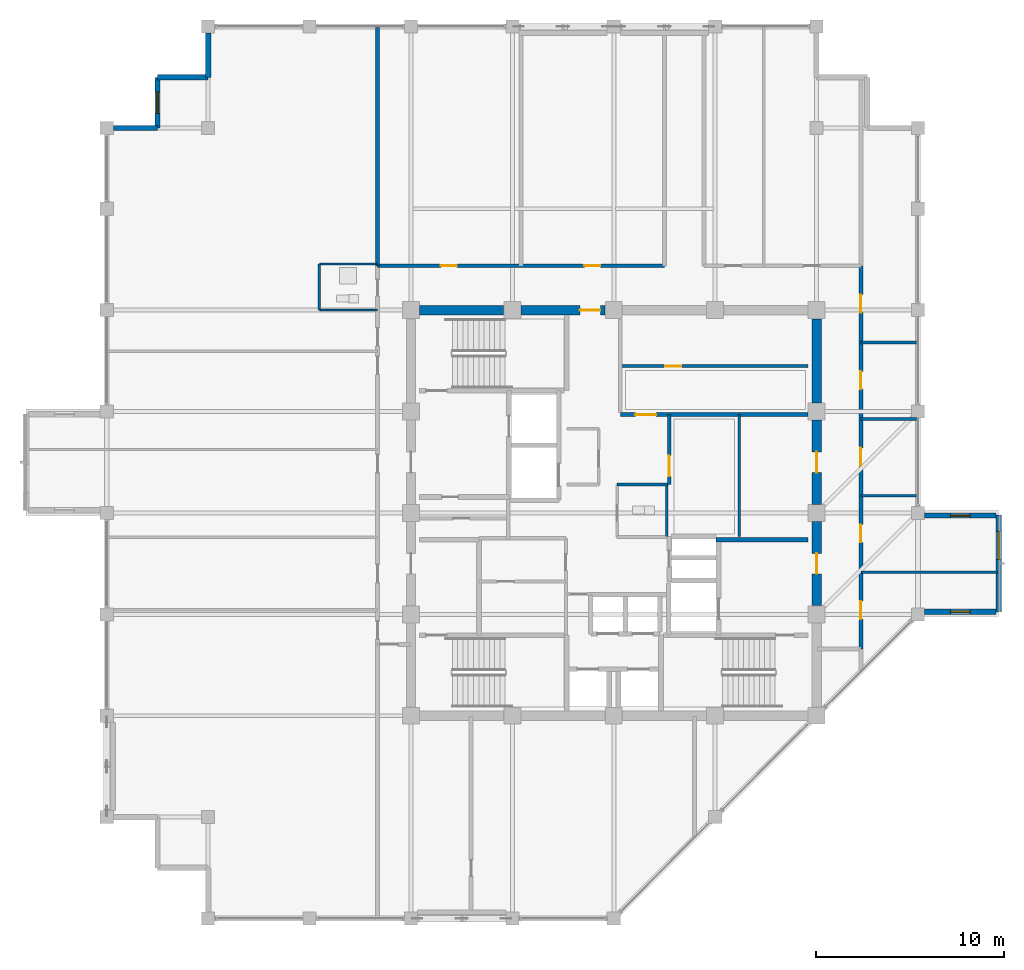
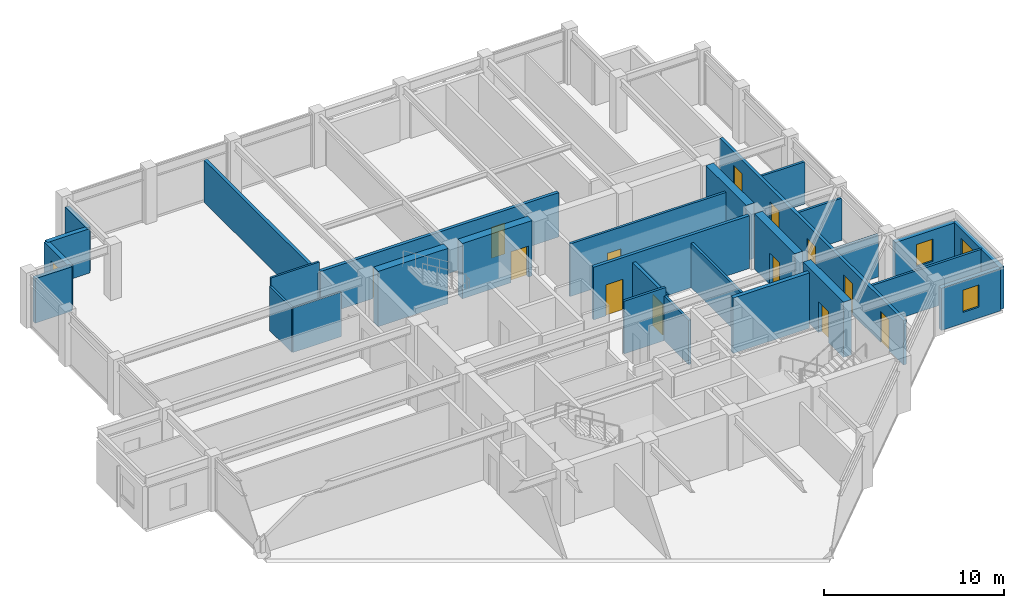
# One storey, part 27 of 31: 29 walls, 13 doors, 4 windows, 17 openings.
"""IFC4 building model written with IfcOpenShell, lengths in metres."""

from ifc_helpers import new_model, si_unit, direction, frame, frame_2d, origin, place, context, subcontext, project, spatial, rectangle, extrude, material, layer, layer_set, type_object, element, fill, save


model = new_model("IFC4")

# Units and contexts
model_context = context("Model", 3, precision=1e-05, world=origin(), true_north=direction((0.0, 1.0)))
body_context = subcontext(model_context, "Body", "Model", "MODEL_VIEW")
ifc_project = project(units=[si_unit("LENGTHUNIT", "METRE"), si_unit("AREAUNIT", "SQUARE_METRE"), si_unit("VOLUMEUNIT", "CUBIC_METRE"), si_unit("PLANEANGLEUNIT", "RADIAN"), si_unit("MASSUNIT", "GRAM", prefix="KILO")], contexts=[model_context])

# Site, building, storey
site_placement = place(None, origin())
site = spatial("IfcSite", under=ifc_project, at=site_placement, CompositionType="ELEMENT")
building_placement = place(site_placement, origin())
building = spatial("IfcBuilding", under=site, at=building_placement, Name="Surkhivell Harbour Commons", CompositionType="ELEMENT")
storey_placement = place(building_placement, frame((0.0, 0.0, 322.5)))
storey = spatial("IfcBuildingStorey", under=building, at=storey_placement, Name="L84", CompositionType="ELEMENT", Elevation=322.5)

# Wall
ifc_material_1 = material(Name="Concrete C50/60", Category="concrete")
ifc_layer_1 = layer(ifc_material_1, 0.5)
ifc_layer_set_1 = layer_set([ifc_layer_1], Name="Concrete C50/60")
wall_type_1 = type_object("IfcWallType", Name="WAL-CORE-500", PredefinedType="SHEAR", material=ifc_layer_set_1)
wall_1_placement = place(storey_placement, frame((-10.340087890625, 10.800048828125, 0.0), z_axis=(0.0, 0.0, 1.0), x_axis=(1.0, 0.0, 0.0)))
element("IfcWall", 1, at=wall_1_placement, inside=storey, type_object=wall_type_1, Name="L84 Core Shear Wall North 1", PredefinedType="SHEAR", context=body_context, shape_type="SweptSolid", body=[
    extrude(rectangle(XDim=4.47998046875, YDim=0.5, at=frame_2d((2.239990234375, 0.0))), origin(), (0.0, 0.0, 1.0), 3.75),
])

# Wall, opening, door
wall_2_placement = place(storey_placement, frame((-4.93994140625, 10.800048828125, 0.0), z_axis=(0.0, 0.0, 1.0), x_axis=(1.0, 0.0, 0.0)))
wall_2 = element("IfcWall", 2, at=wall_2_placement, inside=storey, type_object=wall_type_1, Name="L84 Core Shear Wall North 2", PredefinedType="SHEAR", context=body_context, shape_type="SweptSolid", body=[
    extrude(rectangle(XDim=4.47998046875, YDim=0.5, at=frame_2d((2.239990234375, 0.0))), origin(), (0.0, 0.0, 1.0), 3.75),
])
opening_1_placement = place(wall_2_placement, frame((3.1298828125, 0.0, 0.0)))
opening_1 = element("IfcOpeningElement", 3, at=opening_1_placement, cuts=wall_2, Name="Opening ID-2", PredefinedType="OPENING", context=body_context, shape_type="SweptSolid", body=[
    extrude(rectangle(XDim=1.10009765625, YDim=2.10009765625, at=frame_2d((0.550048828125, 1.050048828125))), frame((0.0, 0.260009765625, 0.0), z_axis=(0.0, -1.0, 0.0), x_axis=(1.0, 0.0, 0.0)), (0.0, 0.0, 1.0), 0.52001953125),
])
ifc_material_2 = material(Name="Hardwood-veneered fire-rated door leaf", Category="wood")
door_type_1 = type_object("IfcDoorType", Name="DOR-FD60-1100", OperationType="NOTDEFINED", PredefinedType="DOOR", material=ifc_material_2)
door_1_placement = place(opening_1_placement, origin())
door_1 = element("IfcDoor", 4, at=door_1_placement, inside=storey, type_object=door_type_1, Name="L84 Central Core Lift Hall North Corridor Door", OperationType="SINGLE_SWING_LEFT", OverallHeight=2.10009765625, OverallWidth=1.10009765625, PredefinedType="DOOR", context=body_context, shape_type="SweptSolid", body=[
    extrude(rectangle(XDim=1.10009765625, YDim=2.10009765625, at=frame_2d((0.550048828125, 1.050048828125))), frame((0.0, 0.02490234375, 0.0), z_axis=(0.0, -1.0, 0.0), x_axis=(1.0, 0.0, 0.0)), (0.0, 0.0, 1.0), 0.050048828125),
])
fill(opening_1, door_1)

wall_3_placement = place(storey_placement, frame((10.800048828125, -4.93994140625, 0.0), z_axis=(0.0, 0.0, 1.0), x_axis=(0.0, 1.0, 0.0)))
wall_3 = element("IfcWall", 5, at=wall_3_placement, inside=storey, type_object=wall_type_1, Name="L84 Core Shear Wall East 2", PredefinedType="SHEAR", context=body_context, shape_type="SweptSolid", body=[
    extrude(rectangle(XDim=4.47998046875, YDim=0.5, at=frame_2d((2.239990234375, 0.0))), origin(), (0.0, 0.0, 1.0), 3.75),
])
opening_2_placement = place(wall_3_placement, frame((1.68994140625, 0.0, 0.0)))
opening_2 = element("IfcOpeningElement", 6, at=opening_2_placement, cuts=wall_3, Name="Opening ID-1", PredefinedType="OPENING", context=body_context, shape_type="SweptSolid", body=[
    extrude(rectangle(XDim=1.10009765625, YDim=2.10009765625, at=frame_2d((0.550048828125, 1.050048828125))), frame((0.0, 0.260009765625, 0.0), z_axis=(0.0, -1.0, 0.0), x_axis=(1.0, 0.0, 0.0)), (0.0, 0.0, 1.0), 0.52001953125),
])
door_type_2 = type_object("IfcDoorType", Name="DOR-FD120-1100", OperationType="NOTDEFINED", PredefinedType="DOOR", material=ifc_material_2)
door_2_placement = place(opening_2_placement, origin())
door_2 = element("IfcDoor", 7, at=door_2_placement, inside=storey, type_object=door_type_2, Name="L84 Firefighting Lobby 2 Corridor Door", OperationType="SINGLE_SWING_RIGHT", OverallHeight=2.10009765625, OverallWidth=1.10009765625, PredefinedType="DOOR", context=body_context, shape_type="SweptSolid", body=[
    extrude(rectangle(XDim=1.10009765625, YDim=2.10009765625, at=frame_2d((0.550048828125, 1.050048828125))), frame((0.0, 0.02490234375, 0.0), z_axis=(0.0, -1.0, 0.0), x_axis=(1.0, 0.0, 0.0)), (0.0, 0.0, 1.0), 0.050048828125),
])
fill(opening_2, door_2)

wall_4_placement = place(storey_placement, frame((10.800048828125, 0.4599609375, 0.0), z_axis=(0.0, 0.0, 1.0), x_axis=(0.0, 1.0, 0.0)))
wall_4 = element("IfcWall", 8, at=wall_4_placement, inside=storey, type_object=wall_type_1, Name="L84 Core Shear Wall East 3", PredefinedType="SHEAR", context=body_context, shape_type="SweptSolid", body=[
    extrude(rectangle(XDim=4.47998046875, YDim=0.5, at=frame_2d((2.239990234375, 0.0))), origin(), (0.0, 0.0, 1.0), 3.75),
])
opening_3_placement = place(wall_4_placement, frame((1.68994140625, 0.0, 0.0)))
opening_3 = element("IfcOpeningElement", 9, at=opening_3_placement, cuts=wall_4, Name="Opening ID-2", PredefinedType="OPENING", context=body_context, shape_type="SweptSolid", body=[
    extrude(rectangle(XDim=1.10009765625, YDim=2.10009765625, at=frame_2d((0.550048828125, 1.050048828125))), frame((0.0, 0.260009765625, 0.0), z_axis=(0.0, -1.0, 0.0), x_axis=(1.0, 0.0, 0.0)), (0.0, 0.0, 1.0), 0.52001953125),
])
door_3_placement = place(opening_3_placement, origin())
door_3 = element("IfcDoor", 10, at=door_3_placement, inside=storey, type_object=door_type_1, Name="L84 Core Seminar East Door", OperationType="SINGLE_SWING_RIGHT", OverallHeight=2.10009765625, OverallWidth=1.10009765625, PredefinedType="DOOR", context=body_context, shape_type="SweptSolid", body=[
    extrude(rectangle(XDim=1.10009765625, YDim=2.10009765625, at=frame_2d((0.550048828125, 1.050048828125))), frame((0.0, 0.02490234375, 0.0), z_axis=(0.0, -1.0, 0.0), x_axis=(1.0, 0.0, 0.0)), (0.0, 0.0, 1.0), 0.050048828125),
])
fill(opening_3, door_3)

# Wall
wall_5_placement = place(storey_placement, frame((10.800048828125, 5.860107421875, 0.0), z_axis=(0.0, 0.0, 1.0), x_axis=(0.0, 1.0, 0.0)))
element("IfcWall", 11, at=wall_5_placement, inside=storey, type_object=wall_type_1, Name="L84 Core Shear Wall East 4", PredefinedType="SHEAR", context=body_context, shape_type="SweptSolid", body=[
    extrude(rectangle(XDim=4.47998046875, YDim=0.5, at=frame_2d((2.239990234375, 0.0))), origin(), (0.0, 0.0, 1.0), 3.75),
])

# Wall, opening, window
ifc_material_3 = material(Name="Terracotta-clad reinforced concrete C45/55", Category="masonry")
ifc_layer_2 = layer(ifc_material_3, 0.280029296875)
ifc_layer_set_2 = layer_set([ifc_layer_2], Name="Terracotta-clad reinforced concrete C45/55")
wall_type_2 = type_object("IfcWallType", Name="WAL-EXT-TER280", PredefinedType="STANDARD", material=ifc_layer_set_2)
wall_6_placement = place(storey_placement, frame((20.5, -5.280029296875, 0.0), z_axis=(0.0, 0.0, 1.0), x_axis=(0.0, 1.0, 0.0)))
wall_6 = element("IfcWall", 12, at=wall_6_placement, inside=storey, type_object=wall_type_2, Name="L84 Coloured Box Front Wall 01", PredefinedType="STANDARD", context=body_context, shape_type="SweptSolid", body=[
    extrude(rectangle(XDim=5.159912109375, YDim=0.280029296875, at=frame_2d((2.580078125, 0.0))), origin(), (0.0, 0.0, 1.0), 2.85693359375),
])
opening_4_placement = place(wall_6_placement, frame((2.800048828125, 0.0, 0.75)))
opening_4 = element("IfcOpeningElement", 13, at=opening_4_placement, cuts=wall_6, Name="Opening WN-13", PredefinedType="OPENING", context=body_context, shape_type="SweptSolid", body=[
    extrude(rectangle(XDim=1.5, YDim=1.5, at=frame_2d((0.75, 0.75))), frame((0.0, 0.14990234375, 0.0), z_axis=(0.0, -1.0, 0.0), x_axis=(1.0, 0.0, 0.0)), (0.0, 0.0, 1.0), 0.300048828125),
])
ifc_material_4 = material(Name="Thermal-break aluminium frame and double low-E glazing", Category="aluminium")
window_type_1 = type_object("IfcWindowType", Name="WIN-BOX-1500x1500", PartitioningType="SINGLE_PANEL", PredefinedType="WINDOW", material=ifc_material_4)
window_1_placement = place(opening_4_placement, origin())
window_1 = element("IfcWindow", 14, at=window_1_placement, inside=storey, type_object=window_type_1, Name="L84 Coloured Box Square Window 01-1", OverallHeight=1.5, OverallWidth=1.5, PartitioningType="SINGLE_PANEL", PredefinedType="WINDOW", context=body_context, shape_type="SweptSolid", body=[
    extrude(rectangle(XDim=1.5, YDim=1.5, at=frame_2d((0.75, 0.75))), frame((0.0, 0.030029296875, 0.0), z_axis=(0.0, -1.0, 0.0), x_axis=(1.0, 0.0, 0.0)), (0.0, 0.0, 1.0), 0.06005859375),
])
fill(opening_4, window_1)

wall_7_placement = place(storey_placement, frame((16.553955078125, -5.260009765625, 0.0), z_axis=(0.0, 0.0, 1.0), x_axis=(1.0, 0.0, 0.0)))
wall_7 = element("IfcWall", 15, at=wall_7_placement, inside=storey, type_object=wall_type_2, Name="L84 Coloured Box Return Wall 01S", PredefinedType="STANDARD", context=body_context, shape_type="SweptSolid", body=[
    extrude(rectangle(XDim=3.80615234375, YDim=0.280029296875, at=frame_2d((1.903076171875, 0.0))), origin(), (0.0, 0.0, 1.0), 2.85693359375),
])
opening_5_placement = place(wall_7_placement, frame((1.3779296875, 0.0, 0.75)))
opening_5 = element("IfcOpeningElement", 16, at=opening_5_placement, cuts=wall_7, Name="Opening WN-11", PredefinedType="OPENING", context=body_context, shape_type="SweptSolid", body=[
    extrude(rectangle(XDim=1.050048828125, YDim=1.5, at=frame_2d((0.52490234375, 0.75))), frame((0.0, 0.14990234375, 0.0), z_axis=(0.0, -1.0, 0.0), x_axis=(1.0, 0.0, 0.0)), (0.0, 0.0, 1.0), 0.300048828125),
])
window_type_2 = type_object("IfcWindowType", Name="WIN-SER-1050x1500", PartitioningType="SINGLE_PANEL", PredefinedType="WINDOW", material=ifc_material_4)
window_2_placement = place(opening_5_placement, origin())
window_2 = element("IfcWindow", 17, at=window_2_placement, inside=storey, type_object=window_type_2, Name="L84 Coloured Box Return Window 01S", OverallHeight=1.5, OverallWidth=1.050048828125, PartitioningType="SINGLE_PANEL", PredefinedType="WINDOW", context=body_context, shape_type="SweptSolid", body=[
    extrude(rectangle(XDim=1.050048828125, YDim=1.5, at=frame_2d((0.52490234375, 0.75))), frame((0.0, 0.030029296875, 0.0), z_axis=(0.0, -1.0, 0.0), x_axis=(1.0, 0.0, 0.0)), (0.0, 0.0, 1.0), 0.06005859375),
])
fill(opening_5, window_2)

wall_8_placement = place(storey_placement, frame((16.553955078125, -0.139892578125, 0.0), z_axis=(0.0, 0.0, 1.0), x_axis=(1.0, 0.0, 0.0)))
wall_8 = element("IfcWall", 18, at=wall_8_placement, inside=storey, type_object=wall_type_2, Name="L84 Coloured Box Return Wall 01N", PredefinedType="STANDARD", context=body_context, shape_type="SweptSolid", body=[
    extrude(rectangle(XDim=3.80615234375, YDim=0.280029296875, at=frame_2d((1.903076171875, 0.0))), origin(), (0.0, 0.0, 1.0), 2.85693359375),
])
opening_6_placement = place(wall_8_placement, frame((1.3779296875, 0.0, 0.75)))
opening_6 = element("IfcOpeningElement", 19, at=opening_6_placement, cuts=wall_8, Name="Opening WN-11", PredefinedType="OPENING", context=body_context, shape_type="SweptSolid", body=[
    extrude(rectangle(XDim=1.050048828125, YDim=1.5, at=frame_2d((0.52490234375, 0.75))), frame((0.0, 0.14990234375, 0.0), z_axis=(0.0, -1.0, 0.0), x_axis=(1.0, 0.0, 0.0)), (0.0, 0.0, 1.0), 0.300048828125),
])
window_3_placement = place(opening_6_placement, origin())
window_3 = element("IfcWindow", 20, at=window_3_placement, inside=storey, type_object=window_type_2, Name="L84 Coloured Box Return Window 01N", OverallHeight=1.5, OverallWidth=1.050048828125, PartitioningType="SINGLE_PANEL", PredefinedType="WINDOW", context=body_context, shape_type="SweptSolid", body=[
    extrude(rectangle(XDim=1.050048828125, YDim=1.5, at=frame_2d((0.52490234375, 0.75))), frame((0.0, 0.030029296875, 0.0), z_axis=(0.0, -1.0, 0.0), x_axis=(1.0, 0.0, 0.0)), (0.0, 0.0, 1.0), 0.06005859375),
])
fill(opening_6, window_3)

# Walls
wall_9_placement = place(storey_placement, frame((-21.60009765625, 25.552001953125, 0.0), z_axis=(0.0, 0.0, 1.0), x_axis=(0.0, -1.0, 0.0)))
element("IfcWall", 21, at=wall_9_placement, inside=storey, type_object=wall_type_2, Name="L84 Serrated Corner Facade Wall 08", PredefinedType="STANDARD", context=body_context, shape_type="SweptSolid", body=[
    extrude(rectangle(XDim=2.35205078125, YDim=0.280029296875, at=frame_2d((1.176025390625, 0.0))), origin(), (0.0, 0.0, 1.0), 3.012939453125),
])
wall_10_placement = place(storey_placement, frame((-21.60009765625, 23.199951171875, 0.0), z_axis=(0.0, 0.0, 1.0), x_axis=(-1.0, 0.0, 0.0)))
element("IfcWall", 22, at=wall_10_placement, inside=storey, type_object=wall_type_2, Name="L84 Serrated Corner Facade Wall 09", PredefinedType="STANDARD", context=body_context, shape_type="SweptSolid", body=[
    extrude(rectangle(XDim=2.699951171875, YDim=0.280029296875, at=frame_2d((1.35009765625, 0.0))), origin(), (0.0, 0.0, 1.0), 3.012939453125),
])

# Wall, opening, window
wall_11_placement = place(storey_placement, frame((-24.300048828125, 23.199951171875, 0.0), z_axis=(0.0, 0.0, 1.0), x_axis=(0.0, -1.0, 0.0)))
wall_11 = element("IfcWall", 23, at=wall_11_placement, inside=storey, type_object=wall_type_2, Name="L84 Serrated Corner Facade Wall 10", PredefinedType="STANDARD", context=body_context, shape_type="SweptSolid", body=[
    extrude(rectangle(XDim=2.699951171875, YDim=0.280029296875, at=frame_2d((1.35009765625, 0.0))), origin(), (0.0, 0.0, 1.0), 3.012939453125),
])
opening_7_placement = place(wall_11_placement, frame((0.77490234375, 0.0, 0.64990234375)))
opening_7 = element("IfcOpeningElement", 24, at=opening_7_placement, cuts=wall_11, Name="Opening WN-10", PredefinedType="OPENING", context=body_context, shape_type="SweptSolid", body=[
    extrude(rectangle(XDim=1.14990234375, YDim=1.550048828125, at=frame_2d((0.574951171875, 0.77490234375))), frame((0.0, 0.14990234375, 0.0), z_axis=(0.0, -1.0, 0.0), x_axis=(1.0, 0.0, 0.0)), (0.0, 0.0, 1.0), 0.300048828125),
])
window_type_3 = type_object("IfcWindowType", Name="WIN-SER-1150x1550", PartitioningType="SINGLE_PANEL", PredefinedType="WINDOW", material=ifc_material_4)
window_4_placement = place(opening_7_placement, origin())
window_4 = element("IfcWindow", 25, at=window_4_placement, inside=storey, type_object=window_type_3, Name="L84 Serrated Alcove Window 10", OverallHeight=1.550048828125, OverallWidth=1.14990234375, PartitioningType="SINGLE_PANEL", PredefinedType="WINDOW", context=body_context, shape_type="SweptSolid", body=[
    extrude(rectangle(XDim=1.14990234375, YDim=1.550048828125, at=frame_2d((0.574951171875, 0.77490234375))), frame((0.0, 0.030029296875, 0.0), z_axis=(0.0, -1.0, 0.0), x_axis=(1.0, 0.0, 0.0)), (0.0, 0.0, 1.0), 0.06005859375),
])
fill(opening_7, window_4)

# Walls
wall_12_placement = place(storey_placement, frame((-24.300048828125, 20.5, 0.0), z_axis=(0.0, 0.0, 1.0), x_axis=(-1.0, 0.0, 0.0)))
element("IfcWall", 26, at=wall_12_placement, inside=storey, type_object=wall_type_2, Name="L84 Serrated Corner Facade Wall 11", PredefinedType="STANDARD", context=body_context, shape_type="SweptSolid", body=[
    extrude(rectangle(XDim=2.35205078125, YDim=0.280029296875, at=frame_2d((1.176025390625, 0.0))), origin(), (0.0, 0.0, 1.0), 3.012939453125),
])
ifc_material_5 = material(Name="Moisture-resistant acoustic stud partition", Category="other")
ifc_layer_3 = layer(ifc_material_5, 0.125)
ifc_layer_set_3 = layer_set([ifc_layer_3], Name="Moisture-resistant acoustic stud partition")
wall_type_3 = type_object("IfcWallType", Name="WAL-INT-125", PredefinedType="PARTITIONING", material=ifc_layer_set_3)
wall_13_placement = place(storey_placement, frame((-15.679931640625, 10.81005859375, 0.0), z_axis=(0.0, 0.0, 1.0), x_axis=(0.0, 1.0, 0.0)))
element("IfcWall", 27, at=wall_13_placement, inside=storey, type_object=wall_type_3, Name="L84 West Partition BTHB", PredefinedType="PARTITIONING", context=body_context, shape_type="SweptSolid", body=[
    extrude(rectangle(XDim=2.449951171875, YDim=0.125, at=frame_2d((1.22509765625, 0.0))), origin(), (0.0, 0.0, 1.0), 3.012939453125),
])
wall_14_placement = place(storey_placement, frame((-15.679931640625, 13.260009765625, 0.0), z_axis=(0.0, 0.0, 1.0), x_axis=(1.0, 0.0, 0.0)))
element("IfcWall", 28, at=wall_14_placement, inside=storey, type_object=wall_type_3, Name="L84 West Partition BTHN", PredefinedType="PARTITIONING", context=body_context, shape_type="SweptSolid", body=[
    extrude(rectangle(XDim=3.099853515625, YDim=0.125, at=frame_2d((1.5498046875, 0.0))), origin(), (0.0, 0.0, 1.0), 3.570068359375),
])
wall_15_placement = place(storey_placement, frame((-15.679931640625, 10.81005859375, 0.0), z_axis=(0.0, 0.0, 1.0), x_axis=(1.0, 0.0, 0.0)))
element("IfcWall", 29, at=wall_15_placement, inside=storey, type_object=wall_type_3, Name="L84 West Partition BTHS", PredefinedType="PARTITIONING", context=body_context, shape_type="SweptSolid", body=[
    extrude(rectangle(XDim=3.099853515625, YDim=0.125, at=frame_2d((1.5498046875, 0.0))), origin(), (0.0, 0.0, 1.0), 3.012939453125),
])
ifc_material_6 = material(Name="Twin-stud acoustic fireboard partition", Category="other")
ifc_layer_4 = layer(ifc_material_6, 0.14990234375)
ifc_layer_set_4 = layer_set([ifc_layer_4], Name="Twin-stud acoustic fireboard partition")
wall_type_4 = type_object("IfcWallType", Name="WAL-INT-150", PredefinedType="PARTITIONING", material=ifc_layer_set_4)
wall_16_placement = place(storey_placement, frame((2.820068359375, -1.25, 0.0), z_axis=(0.0, 0.0, 1.0), x_axis=(0.0, 1.0, 0.0)))
element("IfcWall", 30, at=wall_16_placement, inside=storey, type_object=wall_type_4, Name="L84 Core WC East Wall", PredefinedType="PARTITIONING", context=body_context, shape_type="SweptSolid", body=[
    extrude(rectangle(XDim=2.77001953125, YDim=0.14990234375, at=frame_2d((1.385009765625, 0.0))), origin(), (0.0, 0.0, 1.0), 3.012939453125),
])
wall_17_placement = place(storey_placement, frame((0.179931640625, 1.52001953125, 0.0), z_axis=(0.0, 0.0, 1.0), x_axis=(1.0, 0.0, 0.0)))
element("IfcWall", 31, at=wall_17_placement, inside=storey, type_object=wall_type_4, Name="L84 Core WC North Wall", PredefinedType="PARTITIONING", context=body_context, shape_type="SweptSolid", body=[
    extrude(rectangle(XDim=2.670166015625, YDim=0.14990234375, at=frame_2d((1.3349609375, 0.0))), origin(), (0.0, 0.0, 1.0), 3.570068359375),
])

# Wall, opening, door
wall_18_placement = place(storey_placement, frame((0.35009765625, 7.820068359375, 0.0), z_axis=(0.0, 0.0, 1.0), x_axis=(1.0, 0.0, 0.0)))
wall_18 = element("IfcWall", 32, at=wall_18_placement, inside=storey, type_object=wall_type_4, Name="L84 Core Archive Partition", PredefinedType="PARTITIONING", context=body_context, shape_type="SweptSolid", body=[
    extrude(rectangle(XDim=9.989990234375, YDim=0.14990234375, at=frame_2d((4.9951171875, 0.0))), origin(), (0.0, 0.0, 1.0), 3.570068359375),
])
opening_8_placement = place(wall_18_placement, frame((2.39990234375, 0.0, 0.0)))
opening_8 = element("IfcOpeningElement", 33, at=opening_8_placement, cuts=wall_18, Name="Opening ID-6", PredefinedType="OPENING", context=body_context, shape_type="SweptSolid", body=[
    extrude(rectangle(XDim=0.85009765625, YDim=2.10009765625, at=frame_2d((0.425048828125, 1.050048828125))), frame((0.0, 0.0849609375, 0.0), z_axis=(0.0, -1.0, 0.0), x_axis=(1.0, 0.0, 0.0)), (0.0, 0.0, 1.0), 0.169921875),
])
door_type_3 = type_object("IfcDoorType", Name="DOR-FD30-850", OperationType="NOTDEFINED", PredefinedType="DOOR", material=ifc_material_2)
door_4_placement = place(opening_8_placement, origin())
door_4 = element("IfcDoor", 34, at=door_4_placement, inside=storey, type_object=door_type_3, Name="L84 Archive Room Door", OperationType="SINGLE_SWING_LEFT", OverallHeight=2.10009765625, OverallWidth=0.85009765625, PredefinedType="DOOR", context=body_context, shape_type="SweptSolid", body=[
    extrude(rectangle(XDim=0.85009765625, YDim=2.10009765625, at=frame_2d((0.425048828125, 1.050048828125))), frame((0.0, 0.02490234375, 0.0), z_axis=(0.0, -1.0, 0.0), x_axis=(1.0, 0.0, 0.0)), (0.0, 0.0, 1.0), 0.050048828125),
])
fill(opening_8, door_4)

# Walls
wall_19_placement = place(storey_placement, frame((6.679931640625, -1.25, 0.0), z_axis=(0.0, 0.0, 1.0), x_axis=(0.0, 1.0, 0.0)))
element("IfcWall", 35, at=wall_19_placement, inside=storey, type_object=wall_type_4, Name="L84 Seminar Room Wall", PredefinedType="PARTITIONING", context=body_context, shape_type="SweptSolid", body=[
    extrude(rectangle(XDim=6.489990234375, YDim=0.14990234375, at=frame_2d((3.2451171875, 0.0))), origin(), (0.0, 0.0, 1.0), 3.012939453125),
])
wall_20_placement = place(storey_placement, frame((13.159912109375, -3.159912109375, 0.0), z_axis=(0.0, 0.0, 1.0), x_axis=(1.0, 0.0, 0.0)))
element("IfcWall", 36, at=wall_20_placement, inside=storey, type_object=wall_type_4, Name="L84 East Partition P1", PredefinedType="PARTITIONING", context=body_context, shape_type="SweptSolid", body=[
    extrude(rectangle(XDim=7.280029296875, YDim=0.14990234375, at=frame_2d((3.64013671875, 0.0))), origin(), (0.0, 0.0, 1.0), 2.85693359375),
])
for number, where, z_axis, x_axis, name in (
    (37, (13.159912109375, 0.919921875, 0.0), (0.0, 0.0, 1.0), (1.0, 0.0, 0.0), "L84 East Partition P2"),
    (38, (13.159912109375, 5.0, 0.0), (0.0, 0.0, 1.0), (1.0, 0.0, 0.0), "L84 East Partition P3"),
    (39, (13.159912109375, 9.080078125, 0.0), (0.0, 0.0, 1.0), (1.0, 0.0, 0.0), "L84 East Partition P4"),
):
    element("IfcWall", number, at=place(storey_placement, frame(where, z_axis=z_axis, x_axis=x_axis)), inside=storey, type_object=wall_type_4, Name=name, PredefinedType="PARTITIONING", context=body_context, shape_type="SweptSolid", body=[
        extrude(rectangle(XDim=2.97998046875, YDim=0.14990234375, at=frame_2d((1.489990234375, 0.0))), origin(), (0.0, 0.0, 1.0), 2.85693359375),
    ])

# Wall, opening, door
ifc_material_7 = material(Name="Autoclaved aerated concrete blockwork and fire plaster", Category="masonry")
ifc_layer_5 = layer(ifc_material_7, 0.199951171875)
ifc_layer_set_5 = layer_set([ifc_layer_5], Name="Autoclaved aerated concrete blockwork and fire plaster")
wall_type_5 = type_object("IfcWallType", Name="WAL-INT-200", PredefinedType="PARTITIONING", material=ifc_layer_set_5)
wall_21_placement = place(storey_placement, frame((0.35009765625, 5.239990234375, 0.0), z_axis=(0.0, 0.0, 1.0), x_axis=(1.0, 0.0, 0.0)))
wall_21 = element("IfcWall", 40, at=wall_21_placement, inside=storey, type_object=wall_type_5, Name="L84 Reclaimed Core North Bay South Wall", PredefinedType="PARTITIONING", context=body_context, shape_type="SweptSolid", body=[
    extrude(rectangle(XDim=9.989990234375, YDim=0.199951171875, at=frame_2d((4.9951171875, 0.0))), origin(), (0.0, 0.0, 1.0), 3.570068359375),
])
opening_9_placement = place(wall_21_placement, frame((0.800048828125, 0.0, 0.0)))
opening_9 = element("IfcOpeningElement", 41, at=opening_9_placement, cuts=wall_21, Name="Opening ID-2", PredefinedType="OPENING", context=body_context, shape_type="SweptSolid", body=[
    extrude(rectangle(XDim=1.10009765625, YDim=2.10009765625, at=frame_2d((0.550048828125, 1.050048828125))), frame((0.0, 0.10986328125, 0.0), z_axis=(0.0, -1.0, 0.0), x_axis=(1.0, 0.0, 0.0)), (0.0, 0.0, 1.0), 0.219970703125),
])
door_5_placement = place(opening_9_placement, origin())
door_5 = element("IfcDoor", 42, at=door_5_placement, inside=storey, type_object=door_type_1, Name="L84 Study Alcove Door", OperationType="SINGLE_SWING_RIGHT", OverallHeight=2.10009765625, OverallWidth=1.10009765625, PredefinedType="DOOR", context=body_context, shape_type="SweptSolid", body=[
    extrude(rectangle(XDim=1.10009765625, YDim=2.10009765625, at=frame_2d((0.550048828125, 1.050048828125))), frame((0.0, 0.02490234375, 0.0), z_axis=(0.0, -1.0, 0.0), x_axis=(1.0, 0.0, 0.0)), (0.0, 0.0, 1.0), 0.050048828125),
])
fill(opening_9, door_5)

# Wall
wall_22_placement = place(storey_placement, frame((-12.580078125, 13.159912109375, 0.0), z_axis=(0.0, 0.0, 1.0), x_axis=(0.0, 1.0, 0.0)))
element("IfcWall", 43, at=wall_22_placement, inside=storey, type_object=wall_type_5, Name="L84 North-West Corner Wall", PredefinedType="PARTITIONING", context=body_context, shape_type="SweptSolid", body=[
    extrude(rectangle(XDim=12.68017578125, YDim=0.199951171875, at=frame_2d((6.340087890625, 0.0))), origin(), (0.0, 0.0, 1.0), 2.85693359375),
])

# Wall, openings, doors
wall_23_placement = place(storey_placement, frame((13.159912109375, -7.239990234375, 0.0), z_axis=(0.0, 0.0, 1.0), x_axis=(0.0, 1.0, 0.0)))
wall_23 = element("IfcWall", 44, at=wall_23_placement, inside=storey, type_object=wall_type_5, Name="L84 East Corridor Wall", PredefinedType="PARTITIONING", context=body_context, shape_type="SweptSolid", body=[
    extrude(rectangle(XDim=20.39990234375, YDim=0.199951171875, at=frame_2d((10.199951171875, 0.0))), origin(), (0.0, 0.0, 1.0), 3.012939453125),
])
opening_10_placement = place(wall_23_placement, frame((1.590087890625, 0.0, 0.0)))
opening_10 = element("IfcOpeningElement", 45, at=opening_10_placement, cuts=wall_23, Name="Opening ID-4", PredefinedType="OPENING", context=body_context, shape_type="SweptSolid", body=[
    extrude(rectangle(XDim=0.949951171875, YDim=2.10009765625, at=frame_2d((0.47509765625, 1.050048828125))), frame((0.0, 0.10986328125, 0.0), z_axis=(0.0, -1.0, 0.0), x_axis=(1.0, 0.0, 0.0)), (0.0, 0.0, 1.0), 0.219970703125),
])
opening_11_placement = place(wall_23_placement, frame((5.669921875, 0.0, 0.0)))
opening_11 = element("IfcOpeningElement", 46, at=opening_11_placement, cuts=wall_23, Name="Opening ID-4", PredefinedType="OPENING", context=body_context, shape_type="SweptSolid", body=[
    extrude(rectangle(XDim=0.949951171875, YDim=2.10009765625, at=frame_2d((0.47509765625, 1.050048828125))), frame((0.0, 0.10986328125, 0.0), z_axis=(0.0, -1.0, 0.0), x_axis=(1.0, 0.0, 0.0)), (0.0, 0.0, 1.0), 0.219970703125),
])
opening_12_placement = place(wall_23_placement, frame((9.75, 0.0, 0.0)))
opening_12 = element("IfcOpeningElement", 47, at=opening_12_placement, cuts=wall_23, Name="Opening ID-4", PredefinedType="OPENING", context=body_context, shape_type="SweptSolid", body=[
    extrude(rectangle(XDim=0.949951171875, YDim=2.10009765625, at=frame_2d((0.47509765625, 1.050048828125))), frame((0.0, 0.10986328125, 0.0), z_axis=(0.0, -1.0, 0.0), x_axis=(1.0, 0.0, 0.0)), (0.0, 0.0, 1.0), 0.219970703125),
])
opening_13_placement = place(wall_23_placement, frame((13.830078125, 0.0, 0.0)))
opening_13 = element("IfcOpeningElement", 48, at=opening_13_placement, cuts=wall_23, Name="Opening ID-4", PredefinedType="OPENING", context=body_context, shape_type="SweptSolid", body=[
    extrude(rectangle(XDim=0.949951171875, YDim=2.10009765625, at=frame_2d((0.47509765625, 1.050048828125))), frame((0.0, 0.10986328125, 0.0), z_axis=(0.0, -1.0, 0.0), x_axis=(1.0, 0.0, 0.0)), (0.0, 0.0, 1.0), 0.219970703125),
])
opening_14_placement = place(wall_23_placement, frame((17.909912109375, 0.0, 0.0)))
opening_14 = element("IfcOpeningElement", 49, at=opening_14_placement, cuts=wall_23, Name="Opening ID-4", PredefinedType="OPENING", context=body_context, shape_type="SweptSolid", body=[
    extrude(rectangle(XDim=0.949951171875, YDim=2.10009765625, at=frame_2d((0.47509765625, 1.050048828125))), frame((0.0, 0.10986328125, 0.0), z_axis=(0.0, -1.0, 0.0), x_axis=(1.0, 0.0, 0.0)), (0.0, 0.0, 1.0), 0.219970703125),
])
door_type_4 = type_object("IfcDoorType", Name="DOR-FD60-950", OperationType="NOTDEFINED", PredefinedType="DOOR", material=ifc_material_2)
door_6_placement = place(opening_10_placement, origin())
door_6 = element("IfcDoor", 50, at=door_6_placement, inside=storey, type_object=door_type_4, Name="L84 Co-Working Study Office Pod 1 East Door", OperationType="SINGLE_SWING_RIGHT", OverallHeight=2.10009765625, OverallWidth=0.949951171875, PredefinedType="DOOR", context=body_context, shape_type="SweptSolid", body=[
    extrude(rectangle(XDim=0.949951171875, YDim=2.10009765625, at=frame_2d((0.47509765625, 1.050048828125))), frame((0.0, 0.02490234375, 0.0), z_axis=(0.0, -1.0, 0.0), x_axis=(1.0, 0.0, 0.0)), (0.0, 0.0, 1.0), 0.050048828125),
])
fill(opening_10, door_6)
door_7_placement = place(opening_11_placement, origin())
door_7 = element("IfcDoor", 51, at=door_7_placement, inside=storey, type_object=door_type_4, Name="L84 Academic Seminar Pod 2 East Door", OperationType="SINGLE_SWING_LEFT", OverallHeight=2.10009765625, OverallWidth=0.949951171875, PredefinedType="DOOR", context=body_context, shape_type="SweptSolid", body=[
    extrude(rectangle(XDim=0.949951171875, YDim=2.10009765625, at=frame_2d((0.47509765625, 1.050048828125))), frame((0.0, 0.02490234375, 0.0), z_axis=(0.0, -1.0, 0.0), x_axis=(1.0, 0.0, 0.0)), (0.0, 0.0, 1.0), 0.050048828125),
])
fill(opening_11, door_7)
door_8_placement = place(opening_12_placement, origin())
door_8 = element("IfcDoor", 52, at=door_8_placement, inside=storey, type_object=door_type_4, Name="L84 Harbour Espresso Cafe Shop 3 East Door", OperationType="SINGLE_SWING_RIGHT", OverallHeight=2.10009765625, OverallWidth=0.949951171875, PredefinedType="DOOR", context=body_context, shape_type="SweptSolid", body=[
    extrude(rectangle(XDim=0.949951171875, YDim=2.10009765625, at=frame_2d((0.47509765625, 1.050048828125))), frame((0.0, 0.02490234375, 0.0), z_axis=(0.0, -1.0, 0.0), x_axis=(1.0, 0.0, 0.0)), (0.0, 0.0, 1.0), 0.050048828125),
])
fill(opening_12, door_8)
door_9_placement = place(opening_13_placement, origin())
door_9 = element("IfcDoor", 53, at=door_9_placement, inside=storey, type_object=door_type_4, Name="L84 Zone Concierge Reception Foyer 4 East Door", OperationType="SINGLE_SWING_LEFT", OverallHeight=2.10009765625, OverallWidth=0.949951171875, PredefinedType="DOOR", context=body_context, shape_type="SweptSolid", body=[
    extrude(rectangle(XDim=0.949951171875, YDim=2.10009765625, at=frame_2d((0.47509765625, 1.050048828125))), frame((0.0, 0.02490234375, 0.0), z_axis=(0.0, -1.0, 0.0), x_axis=(1.0, 0.0, 0.0)), (0.0, 0.0, 1.0), 0.050048828125),
])
fill(opening_13, door_9)
door_10_placement = place(opening_14_placement, origin())
door_10 = element("IfcDoor", 54, at=door_10_placement, inside=storey, type_object=door_type_4, Name="L84 Shared Communal Kitchen 5 East Door", OperationType="SINGLE_SWING_RIGHT", OverallHeight=2.10009765625, OverallWidth=0.949951171875, PredefinedType="DOOR", context=body_context, shape_type="SweptSolid", body=[
    extrude(rectangle(XDim=0.949951171875, YDim=2.10009765625, at=frame_2d((0.47509765625, 1.050048828125))), frame((0.0, 0.02490234375, 0.0), z_axis=(0.0, -1.0, 0.0), x_axis=(1.0, 0.0, 0.0)), (0.0, 0.0, 1.0), 0.050048828125),
])
fill(opening_14, door_10)

wall_24_placement = place(storey_placement, frame((-12.580078125, 13.159912109375, 0.0), z_axis=(0.0, 0.0, 1.0), x_axis=(1.0, 0.0, 0.0)))
wall_24 = element("IfcWall", 55, at=wall_24_placement, inside=storey, type_object=wall_type_5, Name="L84 North-West Corridor Wall", PredefinedType="PARTITIONING", context=body_context, shape_type="SweptSolid", body=[
    extrude(rectangle(XDim=15.280029296875, YDim=0.199951171875, at=frame_2d((7.64013671875, 0.0))), origin(), (0.0, 0.0, 1.0), 3.012939453125),
])
opening_15_placement = place(wall_24_placement, frame((3.3701171875, 0.0, 0.0)))
opening_15 = element("IfcOpeningElement", 56, at=opening_15_placement, cuts=wall_24, Name="Opening ID-6", PredefinedType="OPENING", context=body_context, shape_type="SweptSolid", body=[
    extrude(rectangle(XDim=0.85009765625, YDim=2.10009765625, at=frame_2d((0.425048828125, 1.050048828125))), frame((0.0, 0.10986328125, 0.0), z_axis=(0.0, -1.0, 0.0), x_axis=(1.0, 0.0, 0.0)), (0.0, 0.0, 1.0), 0.219970703125),
])
opening_16_placement = place(wall_24_placement, frame((11.010009765625, 0.0, 0.0)))
opening_16 = element("IfcOpeningElement", 57, at=opening_16_placement, cuts=wall_24, Name="Opening ID-6", PredefinedType="OPENING", context=body_context, shape_type="SweptSolid", body=[
    extrude(rectangle(XDim=0.85009765625, YDim=2.10009765625, at=frame_2d((0.425048828125, 1.050048828125))), frame((0.0, 0.10986328125, 0.0), z_axis=(0.0, -1.0, 0.0), x_axis=(1.0, 0.0, 0.0)), (0.0, 0.0, 1.0), 0.219970703125),
])
door_11_placement = place(opening_15_placement, origin())
door_11 = element("IfcDoor", 58, at=door_11_placement, inside=storey, type_object=door_type_3, Name="L84 Campus Co-Op Bookshop North-West Door", OperationType="SINGLE_SWING_RIGHT", OverallHeight=2.10009765625, OverallWidth=0.85009765625, PredefinedType="DOOR", context=body_context, shape_type="SweptSolid", body=[
    extrude(rectangle(XDim=0.85009765625, YDim=2.10009765625, at=frame_2d((0.425048828125, 1.050048828125))), frame((0.0, 0.02490234375, 0.0), z_axis=(0.0, -1.0, 0.0), x_axis=(1.0, 0.0, 0.0)), (0.0, 0.0, 1.0), 0.050048828125),
])
fill(opening_15, door_11)
door_12_placement = place(opening_16_placement, origin())
door_12 = element("IfcDoor", 59, at=door_12_placement, inside=storey, type_object=door_type_3, Name="L84 Harbour Espresso Cafe Shop North-West Door", OperationType="SINGLE_SWING_LEFT", OverallHeight=2.10009765625, OverallWidth=0.85009765625, PredefinedType="DOOR", context=body_context, shape_type="SweptSolid", body=[
    extrude(rectangle(XDim=0.85009765625, YDim=2.10009765625, at=frame_2d((0.425048828125, 1.050048828125))), frame((0.0, 0.02490234375, 0.0), z_axis=(0.0, -1.0, 0.0), x_axis=(1.0, 0.0, 0.0)), (0.0, 0.0, 1.0), 0.050048828125),
])
fill(opening_16, door_12)

# Wall, opening, door
wall_25_placement = place(storey_placement, frame((2.949951171875, 1.52001953125, 0.0), z_axis=(0.0, 0.0, 1.0), x_axis=(0.0, 1.0, 0.0)))
wall_25 = element("IfcWall", 60, at=wall_25_placement, inside=storey, type_object=wall_type_5, Name="L84 Reclaimed East Core West Wall", PredefinedType="PARTITIONING", context=body_context, shape_type="SweptSolid", body=[
    extrude(rectangle(XDim=3.719970703125, YDim=0.199951171875, at=frame_2d((1.85986328125, 0.0))), origin(), (0.0, 0.0, 1.0), 3.012939453125),
])
opening_17_placement = place(wall_25_placement, frame((0.429931640625, 0.0, 0.0)))
opening_17 = element("IfcOpeningElement", 61, at=opening_17_placement, cuts=wall_25, Name="Opening ID-2", PredefinedType="OPENING", context=body_context, shape_type="SweptSolid", body=[
    extrude(rectangle(XDim=1.10009765625, YDim=2.10009765625, at=frame_2d((0.550048828125, 1.050048828125))), frame((0.0, 0.10986328125, 0.0), z_axis=(0.0, -1.0, 0.0), x_axis=(1.0, 0.0, 0.0)), (0.0, 0.0, 1.0), 0.219970703125),
])
door_13_placement = place(opening_17_placement, origin())
door_13 = element("IfcDoor", 62, at=door_13_placement, inside=storey, type_object=door_type_1, Name="L84 Reading Gallery Door", OperationType="SINGLE_SWING_LEFT", OverallHeight=2.10009765625, OverallWidth=1.10009765625, PredefinedType="DOOR", context=body_context, shape_type="SweptSolid", body=[
    extrude(rectangle(XDim=1.10009765625, YDim=2.10009765625, at=frame_2d((0.550048828125, 1.050048828125))), frame((0.0, 0.02490234375, 0.0), z_axis=(0.0, -1.0, 0.0), x_axis=(1.0, 0.0, 0.0)), (0.0, 0.0, 1.0), 0.050048828125),
])
fill(opening_17, door_13)

# Wall
ifc_layer_6 = layer(ifc_material_1, 0.25)
ifc_layer_set_6 = layer_set([ifc_layer_6], Name="Concrete C50/60")
wall_type_6 = type_object("IfcWallType", Name="WAL-SHAFT-250", PredefinedType="SHEAR", material=ifc_layer_set_6)
wall_26_placement = place(storey_placement, frame((5.43994140625, -1.419921875, 0.0), z_axis=(0.0, 0.0, 1.0), x_axis=(1.0, 0.0, 0.0)))
element("IfcWall", 63, at=wall_26_placement, inside=storey, type_object=wall_type_6, Name="L84 Firefighting Lobby 2 North Wall", PredefinedType="SHEAR", context=body_context, shape_type="SweptSolid", body=[
    extrude(rectangle(XDim=4.900146484375, YDim=0.25, at=frame_2d((2.4501953125, 0.0))), origin(), (0.0, 0.0, 1.0), 3.75),
])

save(model, "model.ifc")
